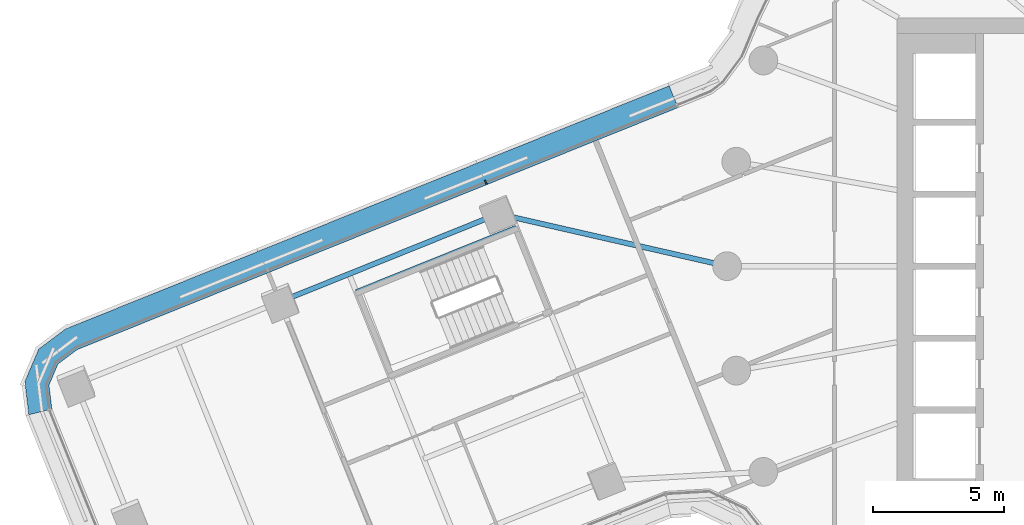
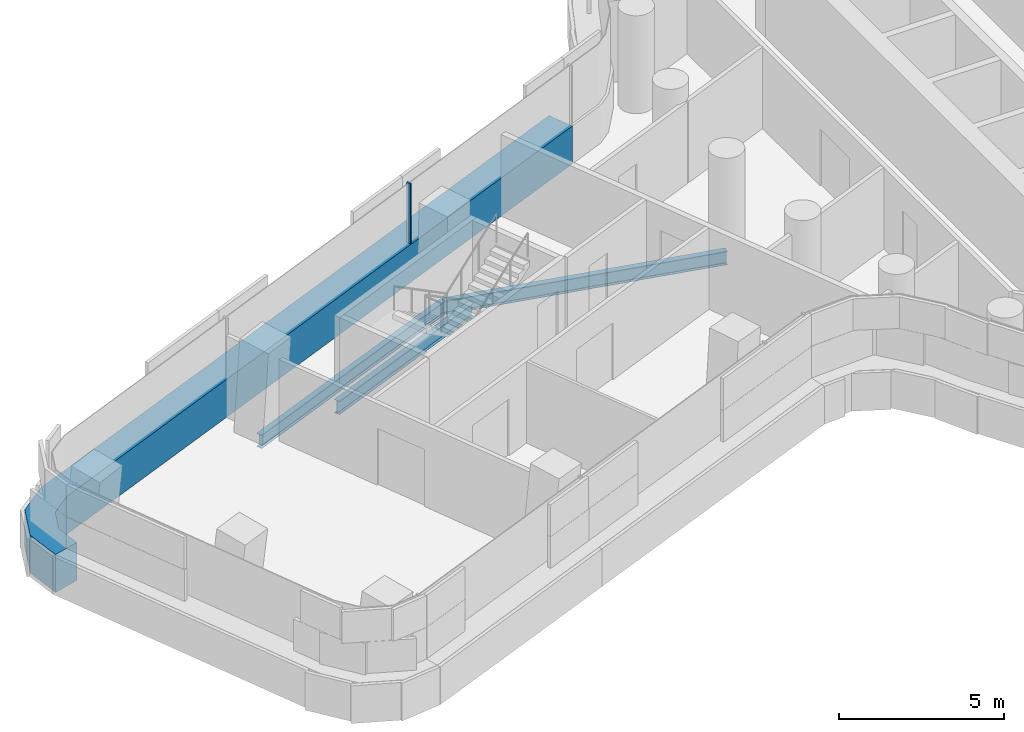
# One storey, part 6 of 32: 3 beams, 2 members, 1 element without a shape of its own.
"""IFC4 building model written with IfcOpenShell, lengths in metres."""

import ifcopenshell
import ifcopenshell.guid

model = None  # the IFC model being written
_history = None  # IfcOwnerHistory: only IFC2X3 demands one
_inside = {}  # id of a spatial element -> (the spatial element, [elements in it])
_under = {}  # id of a project, library or spatial element -> (it, [spatial elements below it])
_declared = {}  # id of a project -> (the project, [libraries it declares])
_typed = {}  # id of a type object -> (the type object, [elements of that type])
_made_of = {}  # id of a material, layer set ... -> (it, [elements and type objects made of it])


def new_model(schema):
    """Start an empty IFC model of exactly this schema.

    Asked for "IFC4X3", IfcOpenShell would pick the latest addendum, in which some entities
    have other attributes; the version numbers below select the first issue.
    IFC2X3 requires an IfcOwnerHistory on every rooted entity: one is made here for all.
    """
    global model, _history
    if schema == "IFC4X3":
        model = ifcopenshell.file(schema_version=(4, 3, 0, 0))
    else:
        model = ifcopenshell.file(schema=schema)
    _inside.clear()
    _under.clear()
    _declared.clear()
    _typed.clear()
    _made_of.clear()
    _history = None
    if model.schema == "IFC2X3":
        org = make("IfcOrganization", Name="unknown")
        user = make(
            "IfcPersonAndOrganization",
            ThePerson=make("IfcPerson", FamilyName="unknown"),
            TheOrganization=org,
        )
        app = make(
            "IfcApplication",
            ApplicationDeveloper=org,
            Version="unknown",
            ApplicationFullName="unknown",
            ApplicationIdentifier="unknown",
        )
        _history = make(
            "IfcOwnerHistory",
            OwningUser=user,
            OwningApplication=app,
            ChangeAction="ADDED",
            CreationDate=0,
        )
    return model


def make(cls, **values):
    """One entity of the class cls with the attributes given. An attribute that is None is left unset."""
    return model.create_entity(
        cls, **{name: value for name, value in values.items() if value is not None}
    )


def rooted(cls, **values):
    """An entity with a GlobalId (a new one), such as an element, a storey or a relation."""
    return make(cls, GlobalId=ifcopenshell.guid.new(), OwnerHistory=_history, **values)


def si_unit(unit_type, name, prefix=None):
    """IfcSIUnit, for example si_unit("LENGTHUNIT", "METRE", prefix="MILLI")."""
    return make("IfcSIUnit", UnitType=unit_type, Prefix=prefix, Name=name)


def assignment(units):
    """IfcUnitAssignment: the units of a project."""
    return None if units is None else make("IfcUnitAssignment", Units=units)


def point(xyz):
    """IfcCartesianPoint."""
    return None if xyz is None else make("IfcCartesianPoint", Coordinates=xyz)


def direction(xyz):
    """IfcDirection."""
    return None if xyz is None else make("IfcDirection", DirectionRatios=xyz)


def frame(location, z_axis=None, x_axis=None):
    """IfcAxis2Placement3D, a coordinate frame: its origin and axes. An axis left out is left unset."""
    return make(
        "IfcAxis2Placement3D",
        Location=point(location),
        Axis=direction(z_axis),
        RefDirection=direction(x_axis),
    )


def frame_2d(location, x_axis=None):
    """IfcAxis2Placement2D, a coordinate frame in the plane: its origin and x axis."""
    return make(
        "IfcAxis2Placement2D", Location=point(location), RefDirection=direction(x_axis)
    )


def origin():
    """The frame at (0, 0, 0) with its axes left unset."""
    return frame((0.0, 0.0, 0.0))


def origin_2d():
    """The frame at (0, 0) in the plane with its x axis left unset."""
    return frame_2d((0.0, 0.0))


def place(relative_to, where):
    """IfcLocalPlacement: puts the frame where relative to a parent placement (None: the world)."""
    return make(
        "IfcLocalPlacement", PlacementRelTo=relative_to, RelativePlacement=where
    )


def context(
    kind, dimensions, precision=None, world=None, true_north=None, identifier=None
):
    """IfcGeometricRepresentationContext, for example the 3D "Model" context."""
    return make(
        "IfcGeometricRepresentationContext",
        ContextIdentifier=identifier,
        ContextType=kind,
        CoordinateSpaceDimension=dimensions,
        Precision=precision,
        WorldCoordinateSystem=world,
        TrueNorth=true_north,
    )


def subcontext(parent, identifier, kind, view, scale=None):
    """IfcGeometricRepresentationSubContext, for example "Body" below "Model"."""
    return make(
        "IfcGeometricRepresentationSubContext",
        ContextIdentifier=identifier,
        ContextType=kind,
        ParentContext=parent,
        TargetScale=scale,
        TargetView=view,
    )


def project(units=None, contexts=None):
    """IfcProject with its units and contexts."""
    return rooted(
        "IfcProject",
        Name="project",
        RepresentationContexts=contexts,
        UnitsInContext=assignment(units),
    )


def spatial(cls, under=None, at=None, **own):
    """A site, building, storey or space (cls), placed at a placement, below another one or the project."""
    s = rooted(cls, ObjectPlacement=at, **own)
    if under is not None:
        _under.setdefault(under.id(), (under, []))[1].append(s)
    return s


def polyline(points):
    """IfcPolyline through the points."""
    return make("IfcPolyline", Points=[point(p) for p in points])


def profile(cls, at=None, kind="AREA", **sizes):
    """A parametric profile (cls). Its sizes go by their IFC names, for example OverallWidth=200.0."""
    return make(cls, ProfileType=kind, Position=at, **sizes)


def rectangle(**sizes):
    """IfcRectangleProfileDef."""
    return profile("IfcRectangleProfileDef", **sizes)


def i_section(**sizes):
    """IfcIShapeProfileDef."""
    return profile("IfcIShapeProfileDef", **sizes)


def outline(outer, holes=None, kind="AREA"):
    """IfcArbitraryClosedProfileDef: a profile drawn as a closed curve; with holes, ...WithVoids."""
    if holes is None:
        return make("IfcArbitraryClosedProfileDef", ProfileType=kind, OuterCurve=outer)
    return make(
        "IfcArbitraryProfileDefWithVoids",
        ProfileType=kind,
        OuterCurve=outer,
        InnerCurves=holes,
    )


def extrude(swept, where, along, depth):
    """IfcExtrudedAreaSolid: the profile swept, set in the frame where, extruded along a direction by depth."""
    return make(
        "IfcExtrudedAreaSolid",
        SweptArea=swept,
        Position=where,
        ExtrudedDirection=direction(along),
        Depth=depth,
    )


def shape(context_of_items, identifier, shape_type, items):
    """IfcShapeRepresentation: the items that make up one representation, for example the "Body"."""
    return make(
        "IfcShapeRepresentation",
        ContextOfItems=context_of_items,
        RepresentationIdentifier=identifier,
        RepresentationType=shape_type,
        Items=items,
    )


def material(Name=None, Category=None):
    """IfcMaterial."""
    return make("IfcMaterial", Name=Name, Category=Category)


def layer(
    of_material, thickness, ventilated=None, Name=None, Category=None, Priority=None
):
    """IfcMaterialLayer: one layer of a wall or slab, of a material (None: an air gap)."""
    return make(
        "IfcMaterialLayer",
        Material=of_material,
        LayerThickness=thickness,
        IsVentilated=ventilated,
        Name=Name,
        Category=Category,
        Priority=Priority,
    )


def layer_set(layers, Name=None):
    """IfcMaterialLayerSet."""
    return make("IfcMaterialLayerSet", MaterialLayers=layers, LayerSetName=Name)


def material_profile(
    of_material, cross_section, Name=None, Category=None, Priority=None
):
    """IfcMaterialProfile: a cross section and its material."""
    return make(
        "IfcMaterialProfile",
        Name=Name,
        Material=of_material,
        Profile=cross_section,
        Priority=Priority,
        Category=Category,
    )


def profile_set(profiles, Name=None, composite=None):
    """IfcMaterialProfileSet."""
    return make(
        "IfcMaterialProfileSet",
        Name=Name,
        MaterialProfiles=profiles,
        CompositeProfile=composite,
    )


def made_of(thing, what):
    """Note that an element or type object is made of a material, layer set ...; save() writes the relation."""
    if what is not None:
        _made_of.setdefault(what.id(), (what, []))[1].append(thing)
    return thing


def type_object(cls, material=None, **own):
    """A type object (cls), such as IfcWallType, which elements share."""
    return made_of(rooted(cls, **own), material)


def element(
    cls,
    number,
    at=None,
    inside=None,
    cuts=None,
    type_object=None,
    material=None,
    context=None,
    identifier="Body",
    shape_type=None,
    held_by="IfcProductDefinitionShape",
    body=None,
    shapes=None,
    **own,
):
    """One element of the class cls, such as IfcWall. Its Tag is "e" and its number.

    at: its placement. inside: the storey or other place that contains it. cuts: it is an
    opening in that element (IfcRelVoidsElement). A single representation is given by context,
    identifier, shape_type and body (its items); several are given by shapes. held_by: the class
    of the entity that holds the representations. save() writes the other relations.
    """
    e = rooted(cls, Tag="e%d" % number, ObjectPlacement=at, **own)
    if body is not None:
        shapes = [shape(context, identifier, shape_type, body)]
    if shapes is not None:
        e.Representation = make(held_by, Representations=shapes)
    if inside is not None:
        _inside.setdefault(inside.id(), (inside, []))[1].append(e)
    if cuts is not None:
        rooted(
            "IfcRelVoidsElement", RelatingBuildingElement=cuts, RelatedOpeningElement=e
        )
    if type_object is not None:
        _typed.setdefault(type_object.id(), (type_object, []))[1].append(e)
    return made_of(e, material)


def aggregate(whole, parts):
    """IfcRelAggregates: a whole, such as a stair, and the parts it consists of."""
    return rooted("IfcRelAggregates", RelatingObject=whole, RelatedObjects=parts)


def save(model, path):
    """Write the relations noted so far, then the file.

    IfcRelAggregates (storeys below a building ...), IfcRelContainedInSpatialStructure (elements
    in a storey), IfcRelDefinesByType, IfcRelAssociatesMaterial and IfcRelDeclares: one each for
    every whole, place, type object, material and project.
    """
    for whole, parts in _under.values():
        aggregate(whole, parts)
    for where, things in _inside.values():
        rooted(
            "IfcRelContainedInSpatialStructure",
            RelatedElements=things,
            RelatingStructure=where,
        )
    for kind, things in _typed.values():
        rooted("IfcRelDefinesByType", RelatedObjects=things, RelatingType=kind)
    for what, things in _made_of.values():
        rooted("IfcRelAssociatesMaterial", RelatedObjects=things, RelatingMaterial=what)
    for by, libraries in _declared.values():
        rooted("IfcRelDeclares", RelatingContext=by, RelatedDefinitions=libraries)
    model.write(path)


model = new_model("IFC4")

# Units and contexts
model_context = context("Model", 3, precision=1e-05, world=origin(), true_north=direction((0.0, 1.0)))
body_context = subcontext(model_context, "Body", "Model", "MODEL_VIEW")
ifc_project = project(units=[si_unit("LENGTHUNIT", "METRE"), si_unit("AREAUNIT", "SQUARE_METRE"), si_unit("VOLUMEUNIT", "CUBIC_METRE"), si_unit("PLANEANGLEUNIT", "RADIAN"), si_unit("MASSUNIT", "GRAM", prefix="KILO")], contexts=[model_context])

# Site, building, storey
site_placement = place(None, origin())
site = spatial("IfcSite", under=ifc_project, at=site_placement, CompositionType="ELEMENT")
building_placement = place(site_placement, origin())
building = spatial("IfcBuilding", under=site, at=building_placement, Name="Tamarind Cross Interchange Tower", CompositionType="ELEMENT")
storey_placement = place(building_placement, frame((0.0, 0.0, 113.5)))
storey = spatial("IfcBuildingStorey", under=building, at=storey_placement, Name="L27", CompositionType="ELEMENT", Elevation=113.5)

# Beams
ifc_material_1 = material(Name="Steel Q355B", Category="steel")
ifc_material_profile_1 = material_profile(ifc_material_1, i_section(OverallWidth=0.198974609375, OverallDepth=0.49609375, WebThickness=0.009033203125, FlangeThickness=0.013916015625, FilletRadius=0.012939453125, at=origin_2d()), Name="HN 496x199x9x14")
ifc_profile_set_1 = profile_set([ifc_material_profile_1], Name="Steel Q355B")
beam_type = type_object("IfcBeamType", Name="Composite beam HN 496x199x9x14 Q355B", PredefinedType="BEAM", material=ifc_profile_set_1)
beam_1_placement = place(storey_placement, frame((-40.10205078125, -1.362548828125, -0.387939453125), z_axis=(0.92757222343, 0.37364390845, 0.0), x_axis=(-0.37364390845, 0.92757222343, 0.0)))
element("IfcBeam", 1, at=beam_1_placement, inside=storey, type_object=beam_type, Name="Beam W-edgeem6", PredefinedType="BEAM", context=body_context, shape_type="SweptSolid", body=[
    extrude(i_section(OverallWidth=0.198974609375, OverallDepth=0.49609375, WebThickness=0.009033203125, FlangeThickness=0.013916015625, FilletRadius=0.012939453125, at=origin_2d()), origin(), (0.0, 0.0, 1.0), 9.0),
])
beam_2_placement = place(storey_placement, frame((-31.75390625, 2.000244140625, -0.387939453125), z_axis=(0.974874197182, -0.222756143951, 0.0), x_axis=(0.222756143951, 0.974874197182, 0.0)))
element("IfcBeam", 2, at=beam_2_placement, inside=storey, type_object=beam_type, Name="Beam W-linkem", PredefinedType="BEAM", context=body_context, shape_type="SweptSolid", body=[
    extrude(i_section(OverallWidth=0.198974609375, OverallDepth=0.49609375, WebThickness=0.009033203125, FlangeThickness=0.013916015625, FilletRadius=0.012939453125, at=origin_2d()), origin(), (0.0, 0.0, 1.0), 8.9794921875),
])
beam_3_placement = place(storey_placement, frame((-31.05615234375, 1.472900390625, -0.387939453125), z_axis=(-0.927573434437, -0.373640902107, 0.0), x_axis=(0.373640902107, -0.927573434437, 0.0)))
element("IfcBeam", 3, at=beam_3_placement, inside=storey, type_object=beam_type, Name="Beam W-tr0", PredefinedType="BEAM", context=body_context, shape_type="SweptSolid", body=[
    extrude(i_section(OverallWidth=0.198974609375, OverallDepth=0.49609375, WebThickness=0.009033203125, FlangeThickness=0.013916015625, FilletRadius=0.012939453125, at=origin_2d()), origin(), (0.0, 0.0, 1.0), 6.60009765625),
])

# Curtain wall, members
ifc_material_2 = material(Name="Aluminium 6063-T6", Category="aluminium")
ifc_layer = layer(ifc_material_2, 0.159912109375)
ifc_layer_set = layer_set([ifc_layer], Name="Aluminium 6063-T6")
curtain_wall_type = type_object("IfcCurtainWallType", Name="Office curtain wall, 9.0 m bays", PredefinedType="NOTDEFINED", material=ifc_layer_set)
curtain_wall_placement = place(storey_placement, origin())
curtain_wall = element("IfcCurtainWall", 4, at=curtain_wall_placement, inside=storey, type_object=curtain_wall_type, Name="CWS-L27-15", PredefinedType="NOTDEFINED")
ifc_material_3 = material(Name="Aluminium and insulated spandrel panel", Category="aluminium")
member_type_1 = type_object("IfcMemberType", Name="Floor-edge blade transom", PredefinedType="USERDEFINED", material=ifc_material_3)
member_1_placement = place(storey_placement, origin())
member_1 = element("IfcMember", 5, at=member_1_placement, type_object=member_type_1, Name="CWT-L27-15", ObjectType="TRANSOM", PredefinedType="USERDEFINED", context=body_context, shape_type="SweptSolid", body=[
    extrude(outline(polyline([(-24.87744140625, 6.06396484375), (-47.860595703125, -3.194091796875), (-48.59228515625, -3.744384765625), (-48.934814453125, -4.548828125), (-48.82421875, -5.45751953125), (-49.703369140625, -5.68408203125), (-49.857421875, -4.418212890625), (-49.325927734375, -3.169921875), (-48.306884765625, -2.403564453125), (-25.215087890625, 6.8984375), (-24.87744140625, 6.06396484375)])), origin(), (0.0, 0.0, 1.0), 1.39990234375),
])
ifc_material_profile_2 = material_profile(ifc_material_2, rectangle(XDim=0.06005859375, YDim=0.159912109375, at=origin_2d()), Name="Mullion CW1")
ifc_profile_set_2 = profile_set([ifc_material_profile_2], Name="Aluminium 6063-T6")
member_type_2 = type_object("IfcMemberType", Name="Mullion CW1", PredefinedType="MULLION", material=ifc_profile_set_2)
member_2_placement = place(storey_placement, frame((-32.231689453125, 3.20947265625, 1.39990234375), z_axis=(0.0, 0.0, 1.0), x_axis=(-0.927570416192, -0.373648394893, 0.0)))
member_2 = element("IfcMember", 6, at=member_2_placement, type_object=member_type_2, Name="CWM-L27-15-01", PredefinedType="MULLION", context=body_context, shape_type="SweptSolid", body=[
    extrude(rectangle(XDim=0.06005859375, YDim=0.159912109375, at=origin_2d()), origin(), (0.0, 0.0, 1.0), 2.210205078125),
])
aggregate(curtain_wall, [member_2, member_1])

save(model, "model.ifc")
